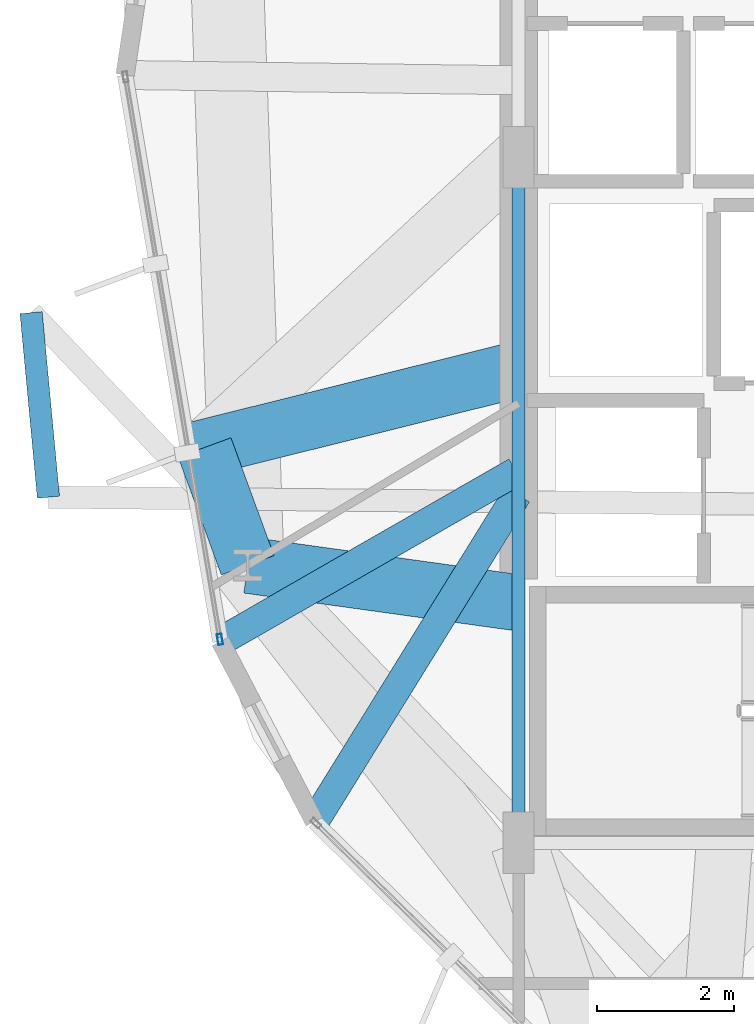
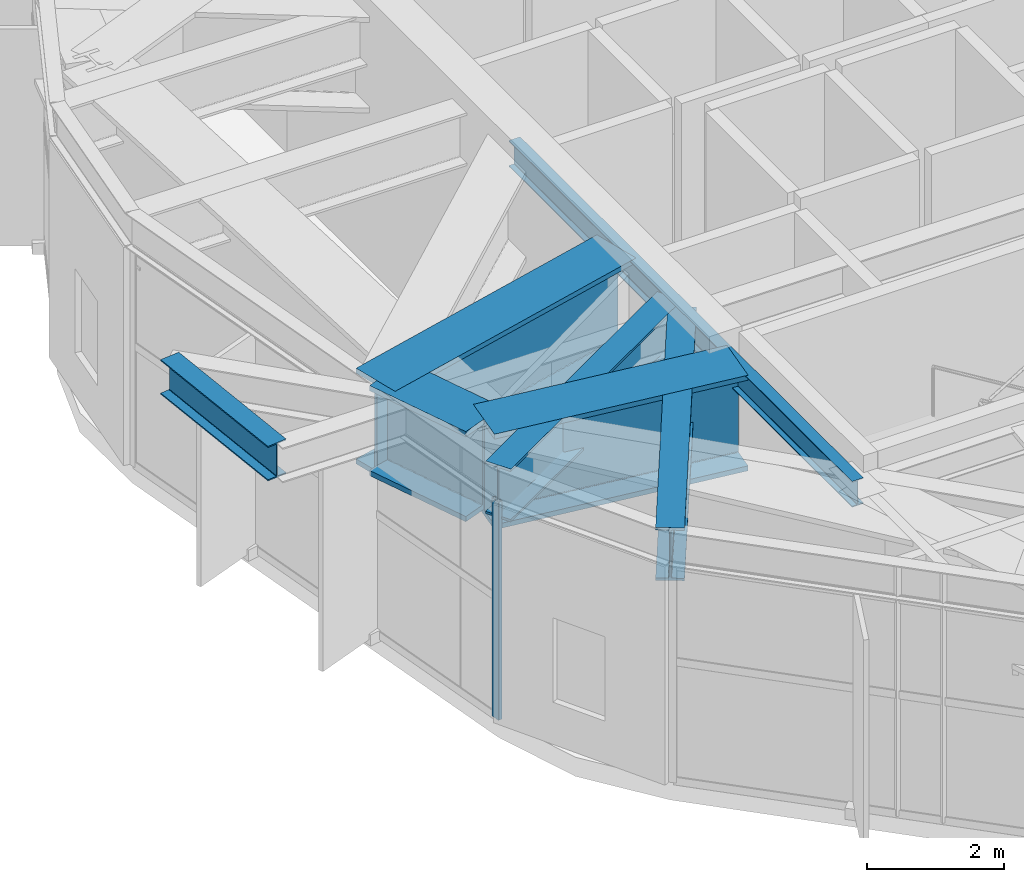
# One storey, part 5 of 27: 7 beams, 1 member, 1 element without a shape of its own.
"""IFC4 building model written with IfcOpenShell, lengths in metres."""

from ifc_helpers import new_model, si_unit, direction, frame, origin, origin_2d, place, context, subcontext, project, spatial, hollow_rectangle, i_section, extrude, material, layer, layer_set, material_profile, profile_set, type_object, element, aggregate, save


model = new_model("IFC4")

# Units and contexts
model_context = context("Model", 3, precision=1e-05, world=origin(), true_north=direction((0.0, 1.0)))
body_context = subcontext(model_context, "Body", "Model", "MODEL_VIEW")
ifc_project = project(units=[si_unit("LENGTHUNIT", "METRE"), si_unit("AREAUNIT", "SQUARE_METRE"), si_unit("VOLUMEUNIT", "CUBIC_METRE"), si_unit("PLANEANGLEUNIT", "RADIAN"), si_unit("MASSUNIT", "GRAM", prefix="KILO")], contexts=[model_context])

# Site, building, storey
site_placement = place(None, origin())
site = spatial("IfcSite", under=ifc_project, at=site_placement, CompositionType="ELEMENT")
building_placement = place(site_placement, origin())
building = spatial("IfcBuilding", under=site, at=building_placement, Name="Soratama Intermodal Tower", CompositionType="ELEMENT")
storey_placement = place(building_placement, frame((0.0, 0.0, 134.199951171875)))
storey = spatial("IfcBuildingStorey", under=building, at=storey_placement, Name="L32", CompositionType="ELEMENT", Elevation=134.199951171875)

# Beams
ifc_material_1 = material(Name="Structural steel ASTM A992 Grade 50", Category="steel")
ifc_material_profile_1 = material_profile(ifc_material_1, i_section(OverallWidth=0.324951171875, OverallDepth=0.615966796875, WebThickness=0.013916015625, FlangeThickness=0.021484375, FilletRadius=0.013916015625, at=origin_2d()), Name="W24X117")
ifc_profile_set_1 = profile_set([ifc_material_profile_1], Name="Structural steel ASTM A992 Grade 50")
beam_type_1 = type_object("IfcBeamType", Name="BM-CANT-W24X117", PredefinedType="BEAM", material=ifc_profile_set_1)
beam_1_placement = place(storey_placement, frame((25.489990234375, 22.73193359375, 4.192138671875), z_axis=(0.093581351422, -0.995611636466, 0.0), x_axis=(0.995611636466, 0.093581351422, 0.0)))
element("IfcBeam", 1, at=beam_1_placement, inside=storey, type_object=beam_type_1, Name="BM-L32-CBHDR-3", PredefinedType="BEAM", context=body_context, shape_type="SweptSolid", body=[
    extrude(i_section(OverallWidth=0.324951171875, OverallDepth=0.615966796875, WebThickness=0.013916015625, FlangeThickness=0.021484375, FilletRadius=0.013916015625, at=origin_2d()), origin(), (0.0, 0.0, 1.0), 2.702880859375),
])
ifc_material_2 = material(Name="Structural steel ASTM A992 Grade 50", Category="steel")
ifc_material_profile_2 = material_profile(ifc_material_2, i_section(OverallWidth=0.19091796875, OverallDepth=0.4599609375, WebThickness=0.010009765625, FlangeThickness=0.01611328125, FilletRadius=0.010986328125, at=origin_2d()), Name="W18X55")
ifc_profile_set_2 = profile_set([ifc_material_profile_2], Name="Structural steel ASTM A992 Grade 50")
beam_type_2 = type_object("IfcBeamType", Name="BM-FLR-W18X55", PredefinedType="BEAM", material=ifc_profile_set_2)
beam_2_placement = place(storey_placement, frame((32.60009765625, 25.0, 4.27001953125), z_axis=(0.0, -1.0, 0.0), x_axis=(1.0, 0.0, 0.0)))
element("IfcBeam", 2, at=beam_2_placement, inside=storey, type_object=beam_type_2, Name="BM-L32-CRING-09", PredefinedType="BEAM", context=body_context, shape_type="SweptSolid", body=[
    extrude(i_section(OverallWidth=0.19091796875, OverallDepth=0.4599609375, WebThickness=0.010009765625, FlangeThickness=0.01611328125, FilletRadius=0.010986328125, at=origin_2d()), origin(), (0.0, 0.0, 1.0), 10.0),
])
ifc_material_3 = material(Name="Structural steel ASTM A992 Grade 50", Category="steel")
ifc_material_profile_3 = material_profile(ifc_material_3, i_section(OverallWidth=0.423095703125, OverallDepth=0.93896484375, WebThickness=0.02392578125, FlangeThickness=0.042724609375, FilletRadius=0.02392578125, at=origin_2d()), Name="W36X302")
ifc_profile_set_3 = profile_set([ifc_material_profile_3], Name="Structural steel ASTM A992 Grade 50")
beam_type_3 = type_object("IfcBeamType", Name="BM-POD-W36X302", PredefinedType="BEAM", material=ifc_profile_set_3)
beam_3_placement = place(storey_placement, frame((32.56494140625, 20.416015625, 4.030517578125), z_axis=(-0.867220930557, -0.497923545942, 0.0), x_axis=(0.497923545942, -0.867220930557, 0.0)))
element("IfcBeam", 3, at=beam_3_placement, inside=storey, type_object=beam_type_3, Name="BM-L32-TIE1-05", PredefinedType="BEAM", context=body_context, shape_type="SweptSolid", body=[
    extrude(i_section(OverallWidth=0.423095703125, OverallDepth=0.93896484375, WebThickness=0.02392578125, FlangeThickness=0.042724609375, FilletRadius=0.02392578125, at=origin_2d()), origin(), (0.0, 0.0, 1.0), 4.976806640625),
])
beam_4_placement = place(storey_placement, frame((32.5791015625, 20.08203125, 4.030517578125), z_axis=(-0.526704767682, -0.850048285511, 0.0), x_axis=(0.850048285511, -0.526704767682, 0.0)))
element("IfcBeam", 4, at=beam_4_placement, inside=storey, type_object=beam_type_3, Name="BM-L32-TIE0-06", PredefinedType="BEAM", context=body_context, shape_type="SweptSolid", body=[
    extrude(i_section(OverallWidth=0.423095703125, OverallDepth=0.93896484375, WebThickness=0.02392578125, FlangeThickness=0.042724609375, FilletRadius=0.02392578125, at=origin_2d()), origin(), (0.0, 0.0, 1.0), 5.615966796875),
])
ifc_material_4 = material(Name="Structural steel ASTM A992 Grade 50", Category="steel")
ifc_material_profile_4 = material_profile(ifc_material_4, i_section(OverallWidth=0.820068359375, OverallDepth=1.699951171875, WebThickness=0.053955078125, FlangeThickness=0.087890625, FilletRadius=0.02392578125, at=origin_2d()), Name="PG1580X800")
ifc_profile_set_4 = profile_set([ifc_material_profile_4], Name="Structural steel ASTM A992 Grade 50")
beam_type_4 = type_object("IfcBeamType", Name="BM-ZSTEP-PG1580", PredefinedType="BEAM", material=ifc_profile_set_4)
beam_5_placement = place(storey_placement, frame((32.51806640625, 21.886962890625, 3.650146484375), z_axis=(-0.970315917934, -0.241840896879, 0.0), x_axis=(0.241840896879, -0.970315917934, 0.0)))
element("IfcBeam", 5, at=beam_5_placement, inside=storey, type_object=beam_type_4, Name="BM-L32-ZCHORD-06", PredefinedType="BEAM", context=body_context, shape_type="SweptSolid", body=[
    extrude(i_section(OverallWidth=0.820068359375, OverallDepth=1.699951171875, WebThickness=0.053955078125, FlangeThickness=0.087890625, FilletRadius=0.02392578125, at=origin_2d()), origin(), (0.0, 0.0, 1.0), 4.87890625),
])
beam_6_placement = place(storey_placement, frame((32.60009765625, 18.5, 3.650146484375), z_axis=(-0.990482077962, 0.137641756879, 0.0), x_axis=(-0.137641756879, -0.990482077962, 0.0)))
element("IfcBeam", 6, at=beam_6_placement, inside=storey, type_object=beam_type_4, Name="BM-L32-RAD-06", PredefinedType="BEAM", context=body_context, shape_type="SweptSolid", body=[
    extrude(i_section(OverallWidth=0.820068359375, OverallDepth=1.699951171875, WebThickness=0.053955078125, FlangeThickness=0.087890625, FilletRadius=0.02392578125, at=origin_2d()), origin(), (0.0, 0.0, 1.0), 3.9892578125),
])
ifc_material_5 = material(Name="Structural steel ASTM A992 Grade 50", Category="steel")
ifc_material_profile_5 = material_profile(ifc_material_5, i_section(OverallWidth=0.820068359375, OverallDepth=1.60205078125, WebThickness=0.055908203125, FlangeThickness=0.092041015625, FilletRadius=0.02392578125, at=origin_2d()), Name="PG1600X650")
ifc_profile_set_5 = profile_set([ifc_material_profile_5], Name="Structural steel ASTM A992 Grade 50")
beam_type_5 = type_object("IfcBeamType", Name="BM-ZSTEP-PG1600", PredefinedType="BEAM", material=ifc_profile_set_5)
beam_7_placement = place(storey_placement, frame((28.64892578125, 19.049072265625, 3.698974609375), z_axis=(-0.34392901933, 0.938995649437, 0.0), x_axis=(-0.938995649437, -0.34392901933, 0.0)))
element("IfcBeam", 7, at=beam_7_placement, inside=storey, type_object=beam_type_5, Name="BM-L32-ZSTEP-A06", PredefinedType="BEAM", context=body_context, shape_type="SweptSolid", body=[
    extrude(i_section(OverallWidth=0.820068359375, OverallDepth=1.60205078125, WebThickness=0.055908203125, FlangeThickness=0.092041015625, FilletRadius=0.02392578125, at=origin_2d()), origin(), (0.0, 0.0, 1.0), 1.82861328125),
])

# Curtain wall, member
ifc_material_6 = material(Name="Double-glazed aluminium curtain wall", Category="aluminium")
ifc_layer = layer(ifc_material_6, 0.159912109375)
ifc_layer_set = layer_set([ifc_layer], Name="Double-glazed aluminium curtain wall")
curtain_wall_type = type_object("IfcCurtainWallType", Name="CW-SYS-3", PredefinedType="NOTDEFINED", material=ifc_layer_set)
curtain_wall_placement = place(storey_placement, origin())
curtain_wall = element("IfcCurtainWall", 8, at=curtain_wall_placement, inside=storey, type_object=curtain_wall_type, Name="L32 Faceted Curtain Wall F05", PredefinedType="NOTDEFINED")
ifc_material_7 = material(Name="Anodised aluminium AA 6063-T6", Category="aluminium")
ifc_material_profile_6 = material_profile(ifc_material_7, hollow_rectangle(XDim=0.070068359375, YDim=0.159912109375, WallThickness=0.0048828125, InnerFilletRadius=0.0048828125, OuterFilletRadius=0.010009765625, at=origin_2d()), Name="CWM160X70X5")
ifc_profile_set_6 = profile_set([ifc_material_profile_6], Name="Anodised aluminium AA 6063-T6")
member_type = type_object("IfcMemberType", Name="MT-CWM-3", PredefinedType="MULLION", material=ifc_profile_set_6)
member_placement = place(storey_placement, frame((28.244140625, 17.967529296875, 0.0), z_axis=(0.0, 0.0, 1.0), x_axis=(0.986171032262, 0.165730791125, 0.0)))
member = element("IfcMember", 9, at=member_placement, type_object=member_type, Name="CW-3 mullion 2", PredefinedType="MULLION", context=body_context, shape_type="SweptSolid", body=[
    extrude(hollow_rectangle(XDim=0.070068359375, YDim=0.159912109375, WallThickness=0.0048828125, InnerFilletRadius=0.0048828125, OuterFilletRadius=0.010009765625, at=origin_2d()), origin(), (0.0, 0.0, 1.0), 3.879150390625),
])
aggregate(curtain_wall, [member])

save(model, "model.ifc")
